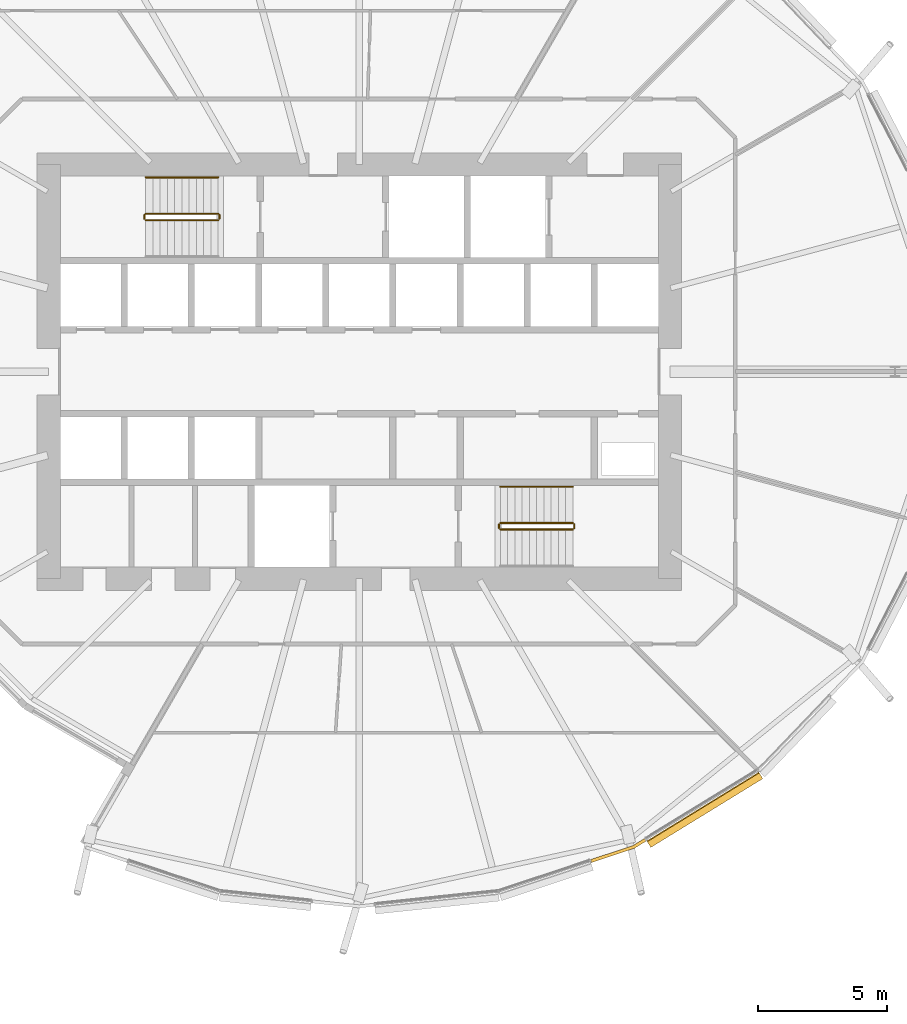
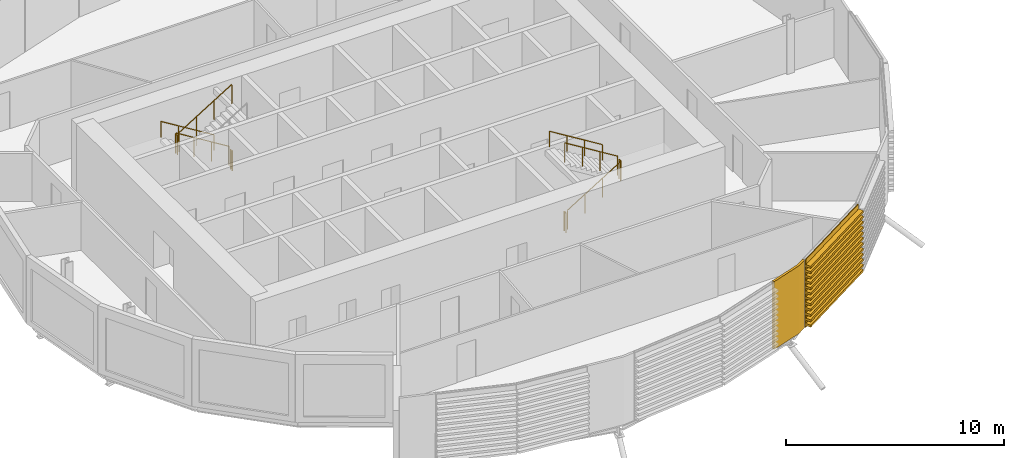
# One storey, part 34 of 38: 10 railings, 2 coverings.
"""IFC4 building model written with IfcOpenShell, lengths in metres."""

from ifc_helpers import new_model, si_unit, direction, frame, origin, origin_2d, place, context, subcontext, project, spatial, polyline, circle, outline, extrude, material, layer, layer_set, material_profile, profile_set, type_object, element, save


model = new_model("IFC4")

# Units and contexts
model_context = context("Model", 3, precision=1e-05, world=origin(), true_north=direction((0.0, 1.0)))
body_context = subcontext(model_context, "Body", "Model", "MODEL_VIEW")
ifc_project = project(units=[si_unit("LENGTHUNIT", "METRE"), si_unit("AREAUNIT", "SQUARE_METRE"), si_unit("VOLUMEUNIT", "CUBIC_METRE"), si_unit("PLANEANGLEUNIT", "RADIAN"), si_unit("MASSUNIT", "GRAM", prefix="KILO")], contexts=[model_context])

# Site, building, storey
site_placement = place(None, origin())
site = spatial("IfcSite", under=ifc_project, at=site_placement, CompositionType="ELEMENT")
building_placement = place(site_placement, origin())
building = spatial("IfcBuilding", under=site, at=building_placement, Name="Rimbun Link Towers", CompositionType="ELEMENT")
storey_placement = place(building_placement, frame((0.0, 0.0, 56.60009765625)))
storey = spatial("IfcBuildingStorey", under=building, at=storey_placement, Name="L13", CompositionType="ELEMENT", Elevation=56.60009765625)

# Covering
ifc_material_1 = material(Name="Terracotta", Category="masonry")
ifc_layer = layer(ifc_material_1, 0.1201171875)
ifc_layer_set = layer_set([ifc_layer], Name="LINK PIER terracotta cladding 120")
covering_type_1 = type_object("IfcCoveringType", Name="LINK PIER terracotta cladding 120", PredefinedType="CLADDING", material=ifc_layer_set)
covering_1_placement = place(storey_placement, origin())
element("IfcCovering", 1, at=covering_1_placement, inside=storey, type_object=covering_type_1, Name="LINK PIER cladding", PredefinedType="CLADDING", context=body_context, shape_type="SweptSolid", body=[
    extrude(outline(polyline([(-20.73583984375, -18.037353515625), (-21.178955078125, -18.3095703125), (-22.811767578125, -18.8505859375), (-22.77392578125, -18.96435546875), (-21.128173828125, -18.4189453125), (-20.673095703125, -18.1396484375), (-20.73583984375, -18.037353515625)])), origin(), (0.0, 0.0, 1.0), 3.7998046875),
])

# Railings
ifc_material_2 = material(Name="Stainless steel grade 316", Category="steel")
railing_type_1 = type_object("IfcRailingType", Name="Stair guard", PredefinedType="GUARDRAIL", material=ifc_material_2)
railing_1_placement = place(storey_placement, frame((-37.199951171875, 6.10009765625, 0.172607421875)))
element("IfcRailing", 2, at=railing_1_placement, inside=storey, type_object=railing_type_1, Name="L13 ST1 stair guard 1", PredefinedType="GUARDRAIL", context=body_context, shape_type="SweptSolid", body=[
    extrude(circle(Radius=0.02392578125, at=origin_2d()), frame((0.0, 0.0, 1.076171875), z_axis=(-0.851089632645, 0.0, 0.525020415988), x_axis=(0.0, -1.0, 0.0)), (0.0, 0.0, 1.0), 3.2900390625),
    extrude(circle(Radius=0.02099609375, at=origin_2d()), origin(), (0.0, 0.0, 1.0), 1.052001953125),
    extrude(circle(Radius=0.02099609375, at=origin_2d()), frame((-0.933349609375, 0.0, 0.57568359375)), (0.0, 0.0, 1.0), 1.052001953125),
    extrude(circle(Radius=0.02099609375, at=origin_2d()), frame((-1.86669921875, 0.0, 1.151611328125)), (0.0, 0.0, 1.0), 1.052001953125),
    extrude(circle(Radius=0.02099609375, at=origin_2d()), frame((-2.800048828125, 0.0, 1.727294921875)), (0.0, 0.0, 1.0), 1.052001953125),
])
railing_2_placement = place(storey_placement, frame((-40.050048828125, 6.050048828125, 1.89990234375)))
element("IfcRailing", 3, at=railing_2_placement, inside=storey, type_object=railing_type_1, Name="L13 ST1 stair guard 2", PredefinedType="GUARDRAIL", context=body_context, shape_type="SweptSolid", body=[
    extrude(circle(Radius=0.02392578125, at=origin_2d()), frame((0.0, 0.0, 1.076171875), z_axis=(0.0, -1.0, 0.0), x_axis=(1.0, 0.0, 0.0)), (0.0, 0.0, 1.0), 0.150146484375),
    extrude(circle(Radius=0.02099609375, at=origin_2d()), origin(), (0.0, 0.0, 1.0), 1.052001953125),
    extrude(circle(Radius=0.02099609375, at=origin_2d()), frame((0.0, -0.150146484375, 0.0)), (0.0, 0.0, 1.0), 1.052001953125),
])
railing_3_placement = place(storey_placement, frame((-40.0, 5.85009765625, 2.072509765625)))
element("IfcRailing", 4, at=railing_3_placement, inside=storey, type_object=railing_type_1, Name="L13 ST1 stair guard 3", PredefinedType="GUARDRAIL", context=body_context, shape_type="SweptSolid", body=[
    extrude(circle(Radius=0.02392578125, at=origin_2d()), frame((0.0, 0.0, 1.076171875), z_axis=(0.851089632645, 0.0, 0.525020415988), x_axis=(0.0, 1.0, 0.0)), (0.0, 0.0, 1.0), 3.2900390625),
    extrude(circle(Radius=0.02099609375, at=origin_2d()), origin(), (0.0, 0.0, 1.0), 1.052001953125),
    extrude(circle(Radius=0.02099609375, at=origin_2d()), frame((0.933349609375, 0.0, 0.57568359375)), (0.0, 0.0, 1.0), 1.052001953125),
    extrude(circle(Radius=0.02099609375, at=origin_2d()), frame((1.86669921875, 0.0, 1.151611328125)), (0.0, 0.0, 1.0), 1.052001953125),
    extrude(circle(Radius=0.02099609375, at=origin_2d()), frame((2.800048828125, 0.0, 1.727294921875)), (0.0, 0.0, 1.0), 1.052001953125),
])
railing_4_placement = place(storey_placement, frame((-37.14990234375, 6.050048828125, 0.0)))
element("IfcRailing", 5, at=railing_4_placement, inside=storey, type_object=railing_type_1, Name="L13 ST1 stair guard 4", PredefinedType="GUARDRAIL", context=body_context, shape_type="SweptSolid", body=[
    extrude(circle(Radius=0.02392578125, at=origin_2d()), frame((0.0, 0.0, 1.076171875), z_axis=(0.0, -1.0, 0.0), x_axis=(1.0, 0.0, 0.0)), (0.0, 0.0, 1.0), 0.150146484375),
    extrude(circle(Radius=0.02099609375, at=origin_2d()), origin(), (0.0, 0.0, 1.0), 1.052001953125),
    extrude(circle(Radius=0.02099609375, at=origin_2d()), frame((0.0, -0.150146484375, 0.0)), (0.0, 0.0, 1.0), 1.052001953125),
])
railing_5_placement = place(storey_placement, frame((-26.300048828125, -6.10009765625, 0.172607421875)))
element("IfcRailing", 6, at=railing_5_placement, inside=storey, type_object=railing_type_1, Name="L13 ST2 stair guard 1", PredefinedType="GUARDRAIL", context=body_context, shape_type="SweptSolid", body=[
    extrude(circle(Radius=0.02392578125, at=origin_2d()), frame((0.0, 0.0, 1.076171875), z_axis=(0.851089632645, 0.0, 0.525020415988), x_axis=(0.0, 1.0, 0.0)), (0.0, 0.0, 1.0), 3.2900390625),
    extrude(circle(Radius=0.02099609375, at=origin_2d()), origin(), (0.0, 0.0, 1.0), 1.052001953125),
    extrude(circle(Radius=0.02099609375, at=origin_2d()), frame((0.933349609375, 0.0, 0.57568359375)), (0.0, 0.0, 1.0), 1.052001953125),
    extrude(circle(Radius=0.02099609375, at=origin_2d()), frame((1.86669921875, 0.0, 1.151611328125)), (0.0, 0.0, 1.0), 1.052001953125),
    extrude(circle(Radius=0.02099609375, at=origin_2d()), frame((2.800048828125, 0.0, 1.727294921875)), (0.0, 0.0, 1.0), 1.052001953125),
])
railing_6_placement = place(storey_placement, frame((-23.449951171875, -6.050048828125, 1.89990234375)))
element("IfcRailing", 7, at=railing_6_placement, inside=storey, type_object=railing_type_1, Name="L13 ST2 stair guard 2", PredefinedType="GUARDRAIL", context=body_context, shape_type="SweptSolid", body=[
    extrude(circle(Radius=0.02392578125, at=origin_2d()), frame((0.0, 0.0, 1.076171875), z_axis=(0.0, 1.0, 0.0), x_axis=(-1.0, 0.0, 0.0)), (0.0, 0.0, 1.0), 0.150146484375),
    extrude(circle(Radius=0.02099609375, at=origin_2d()), origin(), (0.0, 0.0, 1.0), 1.052001953125),
    extrude(circle(Radius=0.02099609375, at=origin_2d()), frame((0.0, 0.150146484375, 0.0)), (0.0, 0.0, 1.0), 1.052001953125),
])
railing_7_placement = place(storey_placement, frame((-23.5, -5.85009765625, 2.072509765625)))
element("IfcRailing", 8, at=railing_7_placement, inside=storey, type_object=railing_type_1, Name="L13 ST2 stair guard 3", PredefinedType="GUARDRAIL", context=body_context, shape_type="SweptSolid", body=[
    extrude(circle(Radius=0.02392578125, at=origin_2d()), frame((0.0, 0.0, 1.076171875), z_axis=(-0.851089632645, 0.0, 0.525020415988), x_axis=(0.0, -1.0, 0.0)), (0.0, 0.0, 1.0), 3.2900390625),
    extrude(circle(Radius=0.02099609375, at=origin_2d()), origin(), (0.0, 0.0, 1.0), 1.052001953125),
    extrude(circle(Radius=0.02099609375, at=origin_2d()), frame((-0.933349609375, 0.0, 0.57568359375)), (0.0, 0.0, 1.0), 1.052001953125),
    extrude(circle(Radius=0.02099609375, at=origin_2d()), frame((-1.86669921875, 0.0, 1.151611328125)), (0.0, 0.0, 1.0), 1.052001953125),
    extrude(circle(Radius=0.02099609375, at=origin_2d()), frame((-2.800048828125, 0.0, 1.727294921875)), (0.0, 0.0, 1.0), 1.052001953125),
])
railing_8_placement = place(storey_placement, frame((-26.35009765625, -6.050048828125, 0.0)))
element("IfcRailing", 9, at=railing_8_placement, inside=storey, type_object=railing_type_1, Name="L13 ST2 stair guard 4", PredefinedType="GUARDRAIL", context=body_context, shape_type="SweptSolid", body=[
    extrude(circle(Radius=0.02392578125, at=origin_2d()), frame((0.0, 0.0, 1.076171875), z_axis=(0.0, 1.0, 0.0), x_axis=(-1.0, 0.0, 0.0)), (0.0, 0.0, 1.0), 0.150146484375),
    extrude(circle(Radius=0.02099609375, at=origin_2d()), origin(), (0.0, 0.0, 1.0), 1.052001953125),
    extrude(circle(Radius=0.02099609375, at=origin_2d()), frame((0.0, 0.150146484375, 0.0)), (0.0, 0.0, 1.0), 1.052001953125),
])
ifc_material_3 = material(Name="Stainless steel grade 316", Category="steel")
railing_type_2 = type_object("IfcRailingType", Name="Stair handrail", PredefinedType="HANDRAIL", material=ifc_material_3)
for number, where, name in (
    (10, (-37.199951171875, 7.5, 0.172607421875), "L13 ST1 stair handrail 1"),
    (11, (-23.5, -4.449951171875, 2.072509765625), "L13 ST2 stair handrail 2"),
):
    element("IfcRailing", number, at=place(storey_placement, frame(where)), inside=storey, type_object=railing_type_2, Name=name, PredefinedType="HANDRAIL", context=body_context, shape_type="SweptSolid", body=[
        extrude(circle(Radius=0.02392578125, at=origin_2d()), frame((0.0, 0.0, 0.8759765625), z_axis=(-0.851089632645, 0.0, 0.525020415988), x_axis=(0.0, -1.0, 0.0)), (0.0, 0.0, 1.0), 3.2900390625),
        extrude(circle(Radius=0.02099609375, at=origin_2d()), origin(), (0.0, 0.0, 1.0), 0.851806640625),
        extrude(circle(Radius=0.02099609375, at=origin_2d()), frame((-0.933349609375, 0.0, 0.57568359375)), (0.0, 0.0, 1.0), 0.851806640625),
        extrude(circle(Radius=0.02099609375, at=origin_2d()), frame((-1.86669921875, 0.0, 1.151611328125)), (0.0, 0.0, 1.0), 0.851806640625),
        extrude(circle(Radius=0.02099609375, at=origin_2d()), frame((-2.800048828125, 0.0, 1.727294921875)), (0.0, 0.0, 1.0), 0.851806640625),
    ])

# Covering
ifc_material_4 = material(Name="Terracotta", Category="masonry")
ifc_material_profile = material_profile(ifc_material_4, outline(polyline([(0.123046875, 0.0), (0.1630859375, 0.0), (0.1630859375, 0.10009765625), (0.423095703125, 0.10009765625), (0.423095703125, 0.219970703125), (0.1630859375, 0.219970703125), (0.1630859375, 0.39990234375), (0.423095703125, 0.39990234375), (0.423095703125, 0.52001953125), (0.1630859375, 0.52001953125), (0.1630859375, 0.699951171875), (0.423095703125, 0.699951171875), (0.423095703125, 0.820068359375), (0.1630859375, 0.820068359375), (0.1630859375, 1.0), (0.423095703125, 1.0), (0.423095703125, 1.1201171875), (0.1630859375, 1.1201171875), (0.1630859375, 1.300048828125), (0.423095703125, 1.300048828125), (0.423095703125, 1.419921875), (0.1630859375, 1.419921875), (0.1630859375, 1.60009765625), (0.423095703125, 1.60009765625), (0.423095703125, 1.719970703125), (0.1630859375, 1.719970703125), (0.1630859375, 1.89990234375), (0.423095703125, 1.89990234375), (0.423095703125, 2.02001953125), (0.1630859375, 2.02001953125), (0.1630859375, 2.199951171875), (0.423095703125, 2.199951171875), (0.423095703125, 2.320068359375), (0.1630859375, 2.320068359375), (0.1630859375, 2.5), (0.423095703125, 2.5), (0.423095703125, 2.6201171875), (0.1630859375, 2.6201171875), (0.1630859375, 2.800048828125), (0.423095703125, 2.800048828125), (0.423095703125, 2.919921875), (0.1630859375, 2.919921875), (0.1630859375, 3.10009765625), (0.423095703125, 3.10009765625), (0.423095703125, 3.219970703125), (0.1630859375, 3.219970703125), (0.1630859375, 3.39990234375), (0.423095703125, 3.39990234375), (0.423095703125, 3.52001953125), (0.1630859375, 3.52001953125), (0.1630859375, 3.800048828125), (0.123046875, 3.800048828125), (0.123046875, 0.0)])), Name="BAGUETTE 120X300")
ifc_profile_set = profile_set([ifc_material_profile], Name="Terracotta")
covering_type_2 = type_object("IfcCoveringType", Name="TERRACOTTA BAGUETTE 120X300 H3800", PredefinedType="CLADDING", material=ifc_profile_set)
covering_2_placement = place(storey_placement, frame((-16.384521484375, -15.365478515625, 0.0), z_axis=(-0.85215993797, -0.523281415798, 0.0), x_axis=(0.523281415798, -0.85215993797, 0.0)))
element("IfcCovering", 12, at=covering_2_placement, inside=storey, type_object=covering_type_2, Name="TERRACOTTA BAGUETTE", PredefinedType="CLADDING", context=body_context, shape_type="SweptSolid", body=[
    extrude(outline(polyline([(0.123046875, 0.0), (0.1630859375, 0.0), (0.1630859375, 0.10009765625), (0.423095703125, 0.10009765625), (0.423095703125, 0.219970703125), (0.1630859375, 0.219970703125), (0.1630859375, 0.39990234375), (0.423095703125, 0.39990234375), (0.423095703125, 0.52001953125), (0.1630859375, 0.52001953125), (0.1630859375, 0.699951171875), (0.423095703125, 0.699951171875), (0.423095703125, 0.820068359375), (0.1630859375, 0.820068359375), (0.1630859375, 1.0), (0.423095703125, 1.0), (0.423095703125, 1.1201171875), (0.1630859375, 1.1201171875), (0.1630859375, 1.300048828125), (0.423095703125, 1.300048828125), (0.423095703125, 1.419921875), (0.1630859375, 1.419921875), (0.1630859375, 1.60009765625), (0.423095703125, 1.60009765625), (0.423095703125, 1.719970703125), (0.1630859375, 1.719970703125), (0.1630859375, 1.89990234375), (0.423095703125, 1.89990234375), (0.423095703125, 2.02001953125), (0.1630859375, 2.02001953125), (0.1630859375, 2.199951171875), (0.423095703125, 2.199951171875), (0.423095703125, 2.320068359375), (0.1630859375, 2.320068359375), (0.1630859375, 2.5), (0.423095703125, 2.5), (0.423095703125, 2.6201171875), (0.1630859375, 2.6201171875), (0.1630859375, 2.800048828125), (0.423095703125, 2.800048828125), (0.423095703125, 2.919921875), (0.1630859375, 2.919921875), (0.1630859375, 3.10009765625), (0.423095703125, 3.10009765625), (0.423095703125, 3.219970703125), (0.1630859375, 3.219970703125), (0.1630859375, 3.39990234375), (0.423095703125, 3.39990234375), (0.423095703125, 3.52001953125), (0.1630859375, 3.52001953125), (0.1630859375, 3.800048828125), (0.123046875, 3.800048828125), (0.123046875, 0.0)])), origin(), (0.0, 0.0, 1.0), 5.076171875),
])

save(model, "model.ifc")
